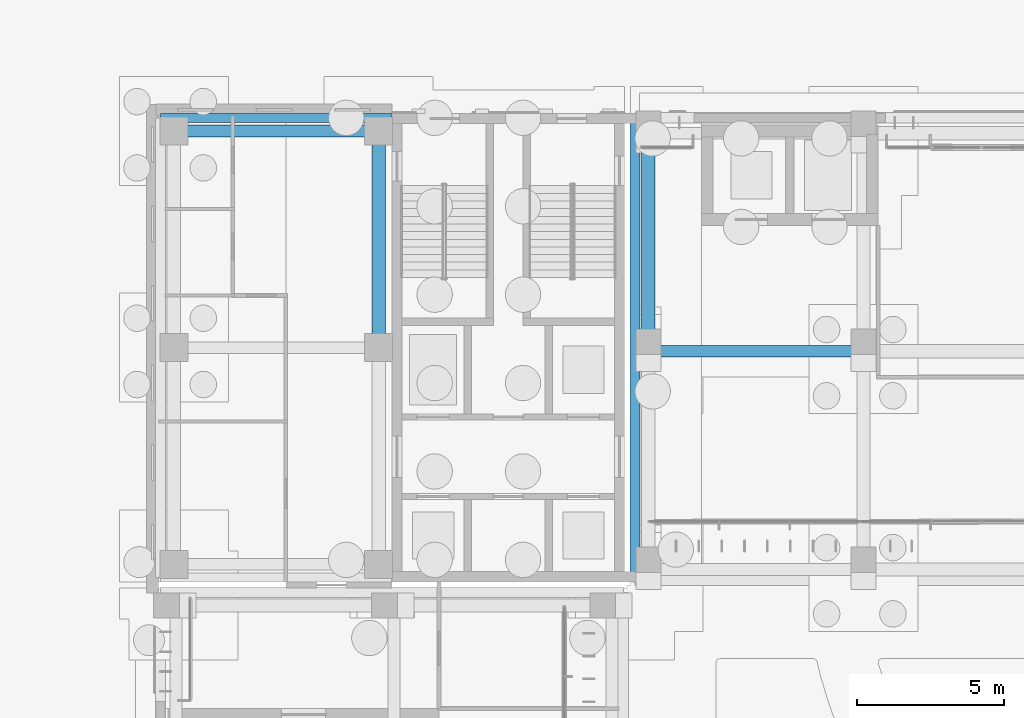
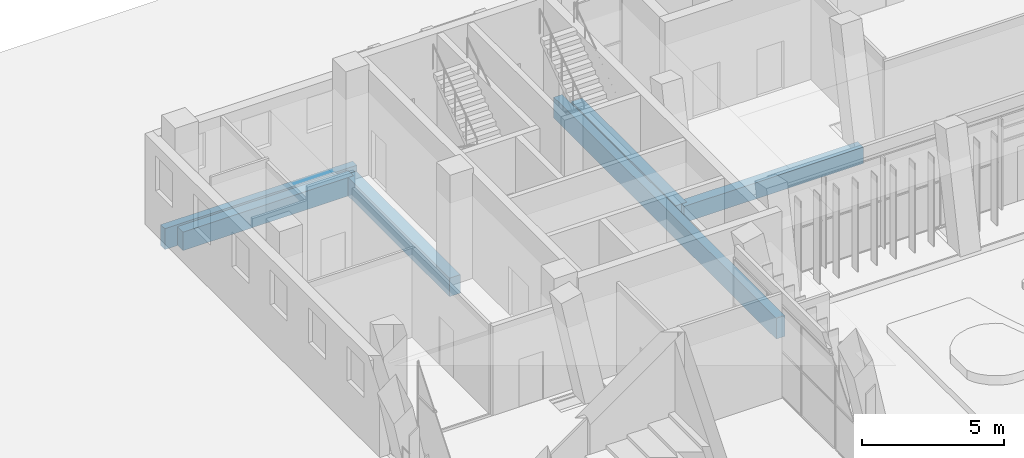
# One storey, part 60 of 144: 6 beams.
"""IFC4 building model written with IfcOpenShell, lengths in metres."""

from ifc_helpers import new_model, si_unit, direction, frame, origin, origin_2d, place, context, subcontext, project, spatial, rectangle, extrude, material, material_profile, profile_set, type_object, element, save


model = new_model("IFC4")

# Units and contexts
model_context = context("Model", 3, precision=1e-05, world=origin(), true_north=direction((0.0, 1.0)))
body_context = subcontext(model_context, "Body", "Model", "MODEL_VIEW")
ifc_project = project(units=[si_unit("LENGTHUNIT", "METRE"), si_unit("AREAUNIT", "SQUARE_METRE"), si_unit("VOLUMEUNIT", "CUBIC_METRE"), si_unit("PLANEANGLEUNIT", "RADIAN"), si_unit("MASSUNIT", "GRAM", prefix="KILO")], contexts=[model_context])

# Site, building, storey
site_placement = place(None, origin())
site = spatial("IfcSite", under=ifc_project, at=site_placement, CompositionType="ELEMENT")
building_placement = place(site_placement, origin())
building = spatial("IfcBuilding", under=site, at=building_placement, Name="Lantern Court Media Centre", CompositionType="ELEMENT")
storey_placement = place(building_placement, origin())
storey = spatial("IfcBuildingStorey", under=building, at=storey_placement, Name="L00", CompositionType="ELEMENT", Elevation=0.0)

# Beams
ifc_material = material(Name="Concrete C35", Category="concrete")
ifc_material_profile_1 = material_profile(ifc_material, rectangle(XDim=0.300048828125, YDim=0.89990234375, at=origin_2d()), Name="RC 300x900")
ifc_profile_set_1 = profile_set([ifc_material_profile_1], Name="Concrete C35")
beam_type_1 = type_object("IfcBeamType", Name="RC BEAM 300x900", PredefinedType="BEAM", material=ifc_profile_set_1)
beam_1_placement = place(storey_placement, frame((8.14990234375, 111.85009765625, -0.449951171875), z_axis=(1.0, 0.0, 0.0), x_axis=(0.0, 1.0, 0.0)))
element("IfcBeam", 1, at=beam_1_placement, inside=storey, type_object=beam_type_1, Name="EB-NW-L00-N", PredefinedType="BEAM", context=body_context, shape_type="SweptSolid", body=[
    extrude(rectangle(XDim=0.300048828125, YDim=0.89990234375, at=origin_2d()), origin(), (0.0, 0.0, 1.0), 7.830078125),
])
ifc_material_profile_2 = material_profile(ifc_material, rectangle(XDim=0.35009765625, YDim=0.89990234375, at=origin_2d()), Name="RC 350x900")
ifc_profile_set_2 = profile_set([ifc_material_profile_2], Name="Concrete C35")
beam_type_2 = type_object("IfcBeamType", Name="RC BEAM 350x900", PredefinedType="BEAM", material=ifc_profile_set_2)
beam_2_placement = place(storey_placement, frame((24.25, 96.14990234375, -0.449951171875), z_axis=(0.0, 1.0, 0.0), x_axis=(-1.0, 0.0, 0.0)))
element("IfcBeam", 2, at=beam_2_placement, inside=storey, type_object=beam_type_2, Name="EB-N-L00-C", PredefinedType="BEAM", context=body_context, shape_type="SweptSolid", body=[
    extrude(rectangle(XDim=0.35009765625, YDim=0.89990234375, at=origin_2d()), origin(), (0.0, 0.0, 1.0), 15.7001953125),
])
ifc_material_profile_3 = material_profile(ifc_material, rectangle(XDim=0.39990234375, YDim=0.699951171875, at=origin_2d()), Name="RC 400x700")
ifc_profile_set_3 = profile_set([ifc_material_profile_3], Name="Concrete C35")
beam_type_3 = type_object("IfcBeamType", Name="RC BEAM 400x700", PredefinedType="BEAM", material=ifc_profile_set_3)
beam_3_placement = place(storey_placement, frame((24.699951171875, 103.927001953125, -0.35009765625), z_axis=(1.0, 0.0, 0.0), x_axis=(0.0, 1.0, 0.0)))
element("IfcBeam", 3, at=beam_3_placement, inside=storey, type_object=beam_type_3, Name="LB-N-L00-1-0", PredefinedType="BEAM", context=body_context, shape_type="SweptSolid", body=[
    extrude(rectangle(XDim=0.39990234375, YDim=0.699951171875, at=origin_2d()), origin(), (0.0, 0.0, 1.0), 7.300048828125),
])
ifc_material_profile_4 = material_profile(ifc_material, rectangle(XDim=0.39990234375, YDim=0.800048828125, at=origin_2d()), Name="RC 400x800")
ifc_profile_set_4 = profile_set([ifc_material_profile_4], Name="Concrete C35")
beam_type_4 = type_object("IfcBeamType", Name="RC BEAM 400x800", PredefinedType="BEAM", material=ifc_profile_set_4)
beam_4_placement = place(storey_placement, frame((8.60009765625, 111.39990234375, -0.39990234375), z_axis=(1.0, 0.0, 0.0), x_axis=(0.0, 1.0, 0.0)))
element("IfcBeam", 4, at=beam_4_placement, inside=storey, type_object=beam_type_4, Name="BB-NW-L00-Y0-111", PredefinedType="BEAM", context=body_context, shape_type="SweptSolid", body=[
    extrude(rectangle(XDim=0.39990234375, YDim=0.800048828125, at=origin_2d()), origin(), (0.0, 0.0, 1.0), 6.949951171875),
])
ifc_material_profile_5 = material_profile(ifc_material, rectangle(XDim=0.449951171875, YDim=0.800048828125, at=origin_2d()), Name="RC 450x800")
ifc_profile_set_5 = profile_set([ifc_material_profile_5], Name="Concrete C35")
beam_type_5 = type_object("IfcBeamType", Name="RC BEAM 450x800", PredefinedType="BEAM", material=ifc_profile_set_5)
beam_5_placement = place(storey_placement, frame((15.550048828125, 104.050048828125, -0.39990234375), z_axis=(0.0, 1.0, 0.0), x_axis=(-1.0, 0.0, 0.0)))
element("IfcBeam", 5, at=beam_5_placement, inside=storey, type_object=beam_type_5, Name="BB-NW-L00-X1-15", PredefinedType="BEAM", context=body_context, shape_type="SweptSolid", body=[
    extrude(rectangle(XDim=0.449951171875, YDim=0.800048828125, at=origin_2d()), origin(), (0.0, 0.0, 1.0), 7.349853515625),
])
beam_6_placement = place(storey_placement, frame((24.699951171875, 103.916748046875, -0.39990234375), z_axis=(0.0, 1.0, 0.0), x_axis=(-1.0, 0.0, 0.0)))
element("IfcBeam", 6, at=beam_6_placement, inside=storey, type_object=beam_type_5, Name="TB-N-L00-0-2", PredefinedType="BEAM", context=body_context, shape_type="SweptSolid", body=[
    extrude(rectangle(XDim=0.449951171875, YDim=0.800048828125, at=origin_2d()), origin(), (0.0, 0.0, 1.0), 7.39990234375),
])

save(model, "model.ifc")
